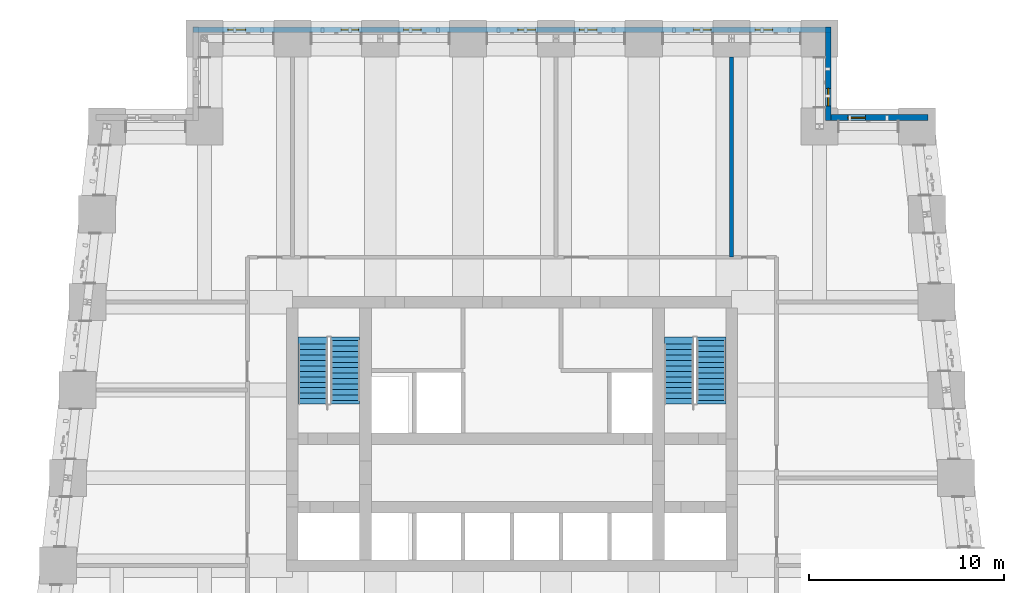
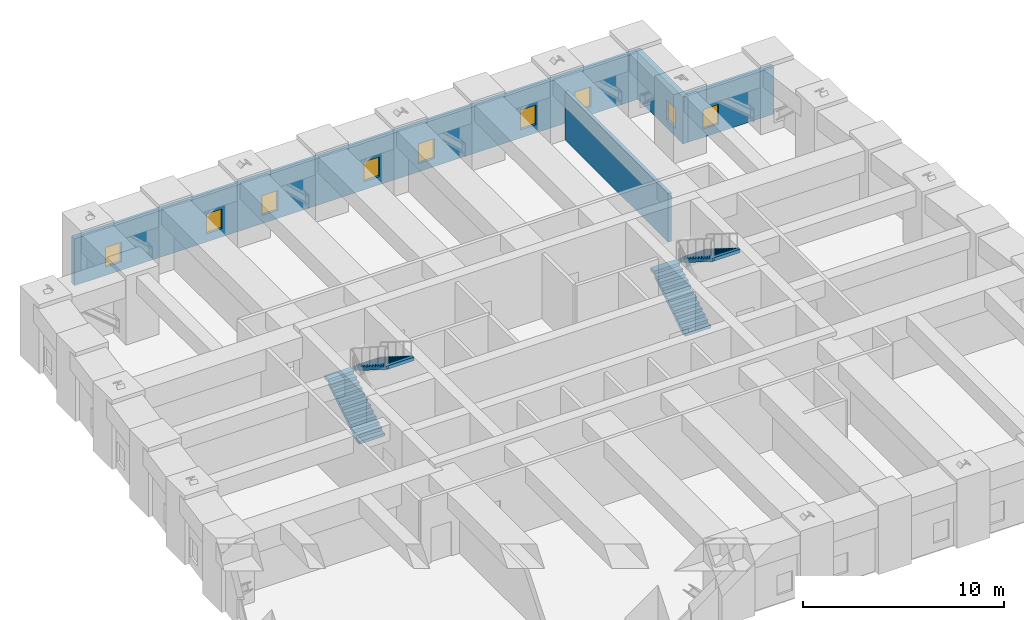
# One storey, part 5 of 16: 9 windows, 4 stair flights, 4 walls, 9 openings, 2 elements without a shape of their own.
"""IFC4 building model written with IfcOpenShell, lengths in metres."""

from ifc_helpers import new_model, si_unit, direction, frame, frame_2d, origin, place, context, subcontext, project, spatial, polyline, rectangle, outline, extrude, material, layer, layer_set, type_object, element, fill, aggregate, save


model = new_model("IFC4")

# Units and contexts
model_context = context("Model", 3, precision=1e-05, world=origin(), true_north=direction((0.0, 1.0)))
body_context = subcontext(model_context, "Body", "Model", "MODEL_VIEW")
ifc_project = project(units=[si_unit("LENGTHUNIT", "METRE"), si_unit("AREAUNIT", "SQUARE_METRE"), si_unit("VOLUMEUNIT", "CUBIC_METRE"), si_unit("PLANEANGLEUNIT", "RADIAN"), si_unit("MASSUNIT", "GRAM", prefix="KILO")], contexts=[model_context])

# Site, building, storey
site_placement = place(None, origin())
site = spatial("IfcSite", under=ifc_project, at=site_placement, CompositionType="ELEMENT")
building_placement = place(site_placement, origin())
building = spatial("IfcBuilding", under=site, at=building_placement, Name="Kilele Tower Hotel", CompositionType="ELEMENT")
storey_placement = place(building_placement, frame((0.0, 0.0, 85.699951171875)))
storey = spatial("IfcBuildingStorey", under=building, at=storey_placement, Name="L21", CompositionType="ELEMENT", Elevation=85.699951171875)

# Wall
ifc_material_1 = material(Name="Blockwork, plastered both sides", Category="masonry")
ifc_layer_1 = layer(ifc_material_1, 0.199951171875)
ifc_layer_set_1 = layer_set([ifc_layer_1], Name="Blockwork, plastered both sides")
wall_type_1 = type_object("IfcWallType", Name="Partition wall 200", PredefinedType="PARTITIONING", material=ifc_layer_set_1)
wall_1_placement = place(storey_placement, frame((36.0, 29.300048828125, 0.0), z_axis=(0.0, 0.0, 1.0), x_axis=(0.0, 1.0, 0.0)))
element("IfcWall", 1, at=wall_1_placement, inside=storey, type_object=wall_type_1, Name="Partition wall 200 L21", PredefinedType="PARTITIONING", context=body_context, shape_type="SweptSolid", body=[
    extrude(rectangle(XDim=10.25, YDim=0.199951171875, at=frame_2d((5.125, 0.0))), origin(), (0.0, 0.0, 1.0), 2.949951171875),
])

# Wall, opening, window
ifc_material_2 = material(Name="Concrete C40/50 precast", Category="concrete")
ifc_layer_2 = layer(ifc_material_2, 0.260009765625, Name="Precast backing", Category="LoadBearing")
ifc_material_3 = material(Name="Reconstituted stone finish", Category="masonry")
ifc_layer_3 = layer(ifc_material_3, 0.0400390625, Name="Face mix", Category="Finish")
ifc_layer_set_2 = layer_set([ifc_layer_2, ifc_layer_3], Name="Precast concrete C40/50, reconstituted stone finish")
wall_type_2 = type_object("IfcWallType", Name="Precast stone facade wall 300", PredefinedType="STANDARD", material=ifc_layer_set_2)
wall_2_placement = place(storey_placement, frame((46.052734375, 36.449951171875, 0.0), z_axis=(0.0, 0.0, 1.0), x_axis=(-1.0, 0.0, 0.0)))
wall_2 = element("IfcWall", 2, at=wall_2_placement, inside=storey, type_object=wall_type_2, Name="Facade wall L21 edge 7", PredefinedType="STANDARD", context=body_context, shape_type="SweptSolid", body=[
    extrude(rectangle(XDim=5.252685546875, YDim=0.300048828125, at=frame_2d((2.62646484375, 0.0))), origin(), (0.0, 0.0, 1.0), 2.85009765625),
])
opening_1_placement = place(wall_2_placement, frame((3.202880859375, 0.0, 0.5)))
opening_1 = element("IfcOpeningElement", 3, at=opening_1_placement, cuts=wall_2, Name="Opening LV1", PredefinedType="OPENING", context=body_context, shape_type="SweptSolid", body=[
    extrude(rectangle(XDim=0.89990234375, YDim=1.199951171875, at=frame_2d((0.449951171875, 0.60009765625))), frame((0.0, 0.159912109375, 0.0), z_axis=(0.0, -1.0, 0.0), x_axis=(1.0, 0.0, 0.0)), (0.0, 0.0, 1.0), 0.320068359375),
])
ifc_material_4 = material(Name="Aluminium weather louvre with insect mesh", Category="aluminium")
window_type = type_object("IfcWindowType", Name="Ventilation louvre 900 x 1200", PartitioningType="SINGLE_PANEL", PredefinedType="USERDEFINED", material=ifc_material_4)
window_1_placement = place(opening_1_placement, origin())
window_1 = element("IfcWindow", 4, at=window_1_placement, inside=storey, type_object=window_type, Name="Louvre L21", ObjectType="LOUVRE", OverallHeight=1.199951171875, OverallWidth=0.89990234375, PartitioningType="SINGLE_PANEL", PredefinedType="USERDEFINED", context=body_context, shape_type="SweptSolid", body=[
    extrude(rectangle(XDim=0.89990234375, YDim=1.199951171875, at=frame_2d((0.449951171875, 0.60009765625))), frame((0.0, 0.030029296875, 0.0), z_axis=(0.0, -1.0, 0.0), x_axis=(1.0, 0.0, 0.0)), (0.0, 0.0, 1.0), 0.06005859375),
])
fill(opening_1, window_1)

wall_3_placement = place(storey_placement, frame((40.949951171875, 36.300048828125, 0.0), z_axis=(0.0, 0.0, 1.0), x_axis=(0.0, 1.0, 0.0)))
wall_3 = element("IfcWall", 5, at=wall_3_placement, inside=storey, type_object=wall_type_2, Name="Facade wall L21 edge 8", PredefinedType="STANDARD", context=body_context, shape_type="SweptSolid", body=[
    extrude(rectangle(XDim=4.800048828125, YDim=0.300048828125, at=frame_2d((2.39990234375, 0.0))), origin(), (0.0, 0.0, 1.0), 2.85009765625),
])
opening_2_placement = place(wall_3_placement, frame((0.75, 0.0, 0.5)))
opening_2 = element("IfcOpeningElement", 6, at=opening_2_placement, cuts=wall_3, Name="Opening LV1", PredefinedType="OPENING", context=body_context, shape_type="SweptSolid", body=[
    extrude(rectangle(XDim=0.89990234375, YDim=1.199951171875, at=frame_2d((0.449951171875, 0.60009765625))), frame((0.0, 0.159912109375, 0.0), z_axis=(0.0, -1.0, 0.0), x_axis=(1.0, 0.0, 0.0)), (0.0, 0.0, 1.0), 0.320068359375),
])
window_2_placement = place(opening_2_placement, origin())
window_2 = element("IfcWindow", 7, at=window_2_placement, inside=storey, type_object=window_type, Name="Louvre L21", ObjectType="LOUVRE", OverallHeight=1.199951171875, OverallWidth=0.89990234375, PartitioningType="SINGLE_PANEL", PredefinedType="USERDEFINED", context=body_context, shape_type="SweptSolid", body=[
    extrude(rectangle(XDim=0.89990234375, YDim=1.199951171875, at=frame_2d((0.449951171875, 0.60009765625))), frame((0.0, 0.030029296875, 0.0), z_axis=(0.0, -1.0, 0.0), x_axis=(1.0, 0.0, 0.0)), (0.0, 0.0, 1.0), 0.06005859375),
])
fill(opening_2, window_2)

# Wall, openings, windows
wall_4_placement = place(storey_placement, frame((41.10009765625, 40.949951171875, 0.0), z_axis=(0.0, 0.0, 1.0), x_axis=(-1.0, 0.0, 0.0)))
wall_4 = element("IfcWall", 8, at=wall_4_placement, inside=storey, type_object=wall_type_2, Name="Facade wall L21 edge 9", PredefinedType="STANDARD", context=body_context, shape_type="SweptSolid", body=[
    extrude(rectangle(XDim=32.7001953125, YDim=0.300048828125, at=frame_2d((16.35009765625, 0.0))), origin(), (0.0, 0.0, 1.0), 2.85009765625),
])
opening_3_placement = place(wall_4_placement, frame((3.0, 0.0, 0.5)))
opening_3 = element("IfcOpeningElement", 9, at=opening_3_placement, cuts=wall_4, Name="Opening LV1", PredefinedType="OPENING", context=body_context, shape_type="SweptSolid", body=[
    extrude(rectangle(XDim=0.89990234375, YDim=1.199951171875, at=frame_2d((0.449951171875, 0.60009765625))), frame((0.0, 0.159912109375, 0.0), z_axis=(0.0, -1.0, 0.0), x_axis=(1.0, 0.0, 0.0)), (0.0, 0.0, 1.0), 0.320068359375),
])
opening_4_placement = place(wall_4_placement, frame((6.14990234375, 0.0, 0.5)))
opening_4 = element("IfcOpeningElement", 10, at=opening_4_placement, cuts=wall_4, Name="Opening LV1", PredefinedType="OPENING", context=body_context, shape_type="SweptSolid", body=[
    extrude(rectangle(XDim=0.89990234375, YDim=1.199951171875, at=frame_2d((0.449951171875, 0.60009765625))), frame((0.0, 0.159912109375, 0.0), z_axis=(0.0, -1.0, 0.0), x_axis=(1.0, 0.0, 0.0)), (0.0, 0.0, 1.0), 0.320068359375),
])
opening_5_placement = place(wall_4_placement, frame((12.0, 0.0, 0.5)))
opening_5 = element("IfcOpeningElement", 11, at=opening_5_placement, cuts=wall_4, Name="Opening LV1", PredefinedType="OPENING", context=body_context, shape_type="SweptSolid", body=[
    extrude(rectangle(XDim=0.89990234375, YDim=1.199951171875, at=frame_2d((0.449951171875, 0.60009765625))), frame((0.0, 0.159912109375, 0.0), z_axis=(0.0, -1.0, 0.0), x_axis=(1.0, 0.0, 0.0)), (0.0, 0.0, 1.0), 0.320068359375),
])
opening_6_placement = place(wall_4_placement, frame((15.14990234375, 0.0, 0.5)))
opening_6 = element("IfcOpeningElement", 12, at=opening_6_placement, cuts=wall_4, Name="Opening LV1", PredefinedType="OPENING", context=body_context, shape_type="SweptSolid", body=[
    extrude(rectangle(XDim=0.89990234375, YDim=1.199951171875, at=frame_2d((0.449951171875, 0.60009765625))), frame((0.0, 0.159912109375, 0.0), z_axis=(0.0, -1.0, 0.0), x_axis=(1.0, 0.0, 0.0)), (0.0, 0.0, 1.0), 0.320068359375),
])
opening_7_placement = place(wall_4_placement, frame((21.0, 0.0, 0.5)))
opening_7 = element("IfcOpeningElement", 13, at=opening_7_placement, cuts=wall_4, Name="Opening LV1", PredefinedType="OPENING", context=body_context, shape_type="SweptSolid", body=[
    extrude(rectangle(XDim=0.89990234375, YDim=1.199951171875, at=frame_2d((0.449951171875, 0.60009765625))), frame((0.0, 0.159912109375, 0.0), z_axis=(0.0, -1.0, 0.0), x_axis=(1.0, 0.0, 0.0)), (0.0, 0.0, 1.0), 0.320068359375),
])
opening_8_placement = place(wall_4_placement, frame((24.199951171875, 0.0, 0.5)))
opening_8 = element("IfcOpeningElement", 14, at=opening_8_placement, cuts=wall_4, Name="Opening LV1", PredefinedType="OPENING", context=body_context, shape_type="SweptSolid", body=[
    extrude(rectangle(XDim=0.89990234375, YDim=1.199951171875, at=frame_2d((0.449951171875, 0.60009765625))), frame((0.0, 0.159912109375, 0.0), z_axis=(0.0, -1.0, 0.0), x_axis=(1.0, 0.0, 0.0)), (0.0, 0.0, 1.0), 0.320068359375),
])
opening_9_placement = place(wall_4_placement, frame((30.0, 0.0, 0.5)))
opening_9 = element("IfcOpeningElement", 15, at=opening_9_placement, cuts=wall_4, Name="Opening LV1", PredefinedType="OPENING", context=body_context, shape_type="SweptSolid", body=[
    extrude(rectangle(XDim=0.89990234375, YDim=1.199951171875, at=frame_2d((0.449951171875, 0.60009765625))), frame((0.0, 0.159912109375, 0.0), z_axis=(0.0, -1.0, 0.0), x_axis=(1.0, 0.0, 0.0)), (0.0, 0.0, 1.0), 0.320068359375),
])
window_3_placement = place(opening_3_placement, origin())
window_3 = element("IfcWindow", 16, at=window_3_placement, inside=storey, type_object=window_type, Name="Louvre L21", ObjectType="LOUVRE", OverallHeight=1.199951171875, OverallWidth=0.89990234375, PartitioningType="SINGLE_PANEL", PredefinedType="USERDEFINED", context=body_context, shape_type="SweptSolid", body=[
    extrude(rectangle(XDim=0.89990234375, YDim=1.199951171875, at=frame_2d((0.449951171875, 0.60009765625))), frame((0.0, 0.030029296875, 0.0), z_axis=(0.0, -1.0, 0.0), x_axis=(1.0, 0.0, 0.0)), (0.0, 0.0, 1.0), 0.06005859375),
])
fill(opening_3, window_3)
window_4_placement = place(opening_4_placement, origin())
window_4 = element("IfcWindow", 17, at=window_4_placement, inside=storey, type_object=window_type, Name="Louvre L21", ObjectType="LOUVRE", OverallHeight=1.199951171875, OverallWidth=0.89990234375, PartitioningType="SINGLE_PANEL", PredefinedType="USERDEFINED", context=body_context, shape_type="SweptSolid", body=[
    extrude(rectangle(XDim=0.89990234375, YDim=1.199951171875, at=frame_2d((0.449951171875, 0.60009765625))), frame((0.0, 0.030029296875, 0.0), z_axis=(0.0, -1.0, 0.0), x_axis=(1.0, 0.0, 0.0)), (0.0, 0.0, 1.0), 0.06005859375),
])
fill(opening_4, window_4)
window_5_placement = place(opening_5_placement, origin())
window_5 = element("IfcWindow", 18, at=window_5_placement, inside=storey, type_object=window_type, Name="Louvre L21", ObjectType="LOUVRE", OverallHeight=1.199951171875, OverallWidth=0.89990234375, PartitioningType="SINGLE_PANEL", PredefinedType="USERDEFINED", context=body_context, shape_type="SweptSolid", body=[
    extrude(rectangle(XDim=0.89990234375, YDim=1.199951171875, at=frame_2d((0.449951171875, 0.60009765625))), frame((0.0, 0.030029296875, 0.0), z_axis=(0.0, -1.0, 0.0), x_axis=(1.0, 0.0, 0.0)), (0.0, 0.0, 1.0), 0.06005859375),
])
fill(opening_5, window_5)
window_6_placement = place(opening_6_placement, origin())
window_6 = element("IfcWindow", 19, at=window_6_placement, inside=storey, type_object=window_type, Name="Louvre L21", ObjectType="LOUVRE", OverallHeight=1.199951171875, OverallWidth=0.89990234375, PartitioningType="SINGLE_PANEL", PredefinedType="USERDEFINED", context=body_context, shape_type="SweptSolid", body=[
    extrude(rectangle(XDim=0.89990234375, YDim=1.199951171875, at=frame_2d((0.449951171875, 0.60009765625))), frame((0.0, 0.030029296875, 0.0), z_axis=(0.0, -1.0, 0.0), x_axis=(1.0, 0.0, 0.0)), (0.0, 0.0, 1.0), 0.06005859375),
])
fill(opening_6, window_6)
window_7_placement = place(opening_7_placement, origin())
window_7 = element("IfcWindow", 20, at=window_7_placement, inside=storey, type_object=window_type, Name="Louvre L21", ObjectType="LOUVRE", OverallHeight=1.199951171875, OverallWidth=0.89990234375, PartitioningType="SINGLE_PANEL", PredefinedType="USERDEFINED", context=body_context, shape_type="SweptSolid", body=[
    extrude(rectangle(XDim=0.89990234375, YDim=1.199951171875, at=frame_2d((0.449951171875, 0.60009765625))), frame((0.0, 0.030029296875, 0.0), z_axis=(0.0, -1.0, 0.0), x_axis=(1.0, 0.0, 0.0)), (0.0, 0.0, 1.0), 0.06005859375),
])
fill(opening_7, window_7)
window_8_placement = place(opening_8_placement, origin())
window_8 = element("IfcWindow", 21, at=window_8_placement, inside=storey, type_object=window_type, Name="Louvre L21", ObjectType="LOUVRE", OverallHeight=1.199951171875, OverallWidth=0.89990234375, PartitioningType="SINGLE_PANEL", PredefinedType="USERDEFINED", context=body_context, shape_type="SweptSolid", body=[
    extrude(rectangle(XDim=0.89990234375, YDim=1.199951171875, at=frame_2d((0.449951171875, 0.60009765625))), frame((0.0, 0.030029296875, 0.0), z_axis=(0.0, -1.0, 0.0), x_axis=(1.0, 0.0, 0.0)), (0.0, 0.0, 1.0), 0.06005859375),
])
fill(opening_8, window_8)
window_9_placement = place(opening_9_placement, origin())
window_9 = element("IfcWindow", 22, at=window_9_placement, inside=storey, type_object=window_type, Name="Louvre L21", ObjectType="LOUVRE", OverallHeight=1.199951171875, OverallWidth=0.89990234375, PartitioningType="SINGLE_PANEL", PredefinedType="USERDEFINED", context=body_context, shape_type="SweptSolid", body=[
    extrude(rectangle(XDim=0.89990234375, YDim=1.199951171875, at=frame_2d((0.449951171875, 0.60009765625))), frame((0.0, 0.030029296875, 0.0), z_axis=(0.0, -1.0, 0.0), x_axis=(1.0, 0.0, 0.0)), (0.0, 0.0, 1.0), 0.06005859375),
])
fill(opening_9, window_9)

# Stair, stair flights
ifc_material_5 = material(Name="Precast concrete C40/50", Category="concrete")
stair_type = type_object("IfcStairType", Name="Stair 1475 x 4200", PredefinedType="HALF_TURN_STAIR", material=ifc_material_5)
stair_1_placement = place(storey_placement, origin())
stair_1 = element("IfcStair", 23, at=stair_1_placement, inside=storey, type_object=stair_type, Name="Stair 1 L21", PredefinedType="HALF_TURN_STAIR")
ifc_material_6 = material(Name="Precast concrete C40/50", Category="concrete")
stair_flight_type = type_object("IfcStairFlightType", Name="Flight 1475 riser 175.0", PredefinedType="STRAIGHT", material=ifc_material_6)
stair_flight_1_placement = place(storey_placement, frame((14.53759765625, 21.77490234375, 0.0), z_axis=(0.0, 0.0, 1.0), x_axis=(0.0, 1.0, 0.0)))
stair_flight_1 = element("IfcStairFlight", 24, at=stair_flight_1_placement, type_object=stair_flight_type, Name="ST1 flight 1", NumberOfRisers=12, NumberOfTreads=11, PredefinedType="STRAIGHT", RiserHeight=0.175, TreadLength=0.28, context=body_context, shape_type="SweptSolid", body=[
    extrude(outline(polyline([(0.0, 0.0), (0.0, 0.175048828125), (0.280029296875, 0.175048828125), (0.280029296875, 0.35009765625), (0.56005859375, 0.35009765625), (0.56005859375, 0.52490234375), (0.840087890625, 0.52490234375), (0.840087890625, 0.699951171875), (1.1201171875, 0.699951171875), (1.1201171875, 0.875), (1.39990234375, 0.875), (1.39990234375, 1.050048828125), (1.679931640625, 1.050048828125), (1.679931640625, 1.22509765625), (1.9599609375, 1.22509765625), (1.9599609375, 1.39990234375), (2.239990234375, 1.39990234375), (2.239990234375, 1.574951171875), (2.52001953125, 1.574951171875), (2.52001953125, 1.75), (2.800048828125, 1.75), (2.800048828125, 1.925048828125), (3.080078125, 1.925048828125), (3.080078125, 2.10009765625), (3.080078125, 1.748291015625), (0.28271484375, 0.0), (0.0, 0.0)])), frame((0.0, 0.737548828125, 0.0), z_axis=(0.0, -1.0, 0.0), x_axis=(1.0, 0.0, 0.0)), (0.0, 0.0, 1.0), 1.47509765625),
    extrude(outline(polyline([(3.080078125, 0.737548828125), (3.080078125, -0.7373046875), (3.4501953125, -0.7373046875), (3.4501953125, 0.737548828125), (3.080078125, 0.737548828125)])), frame((0.0, 0.0, 1.900146484375)), (0.0, 0.0, 1.0), 0.199951171875),
])
stair_flight_2_placement = place(storey_placement, frame((16.21240234375, 25.0400390625, 2.10009765625), z_axis=(0.0, 0.0, 1.0), x_axis=(0.0, -1.0, 0.0)))
stair_flight_2 = element("IfcStairFlight", 25, at=stair_flight_2_placement, type_object=stair_flight_type, Name="ST1 flight 2", NumberOfRisers=12, NumberOfTreads=11, PredefinedType="STRAIGHT", RiserHeight=0.175, TreadLength=0.28, context=body_context, shape_type="SweptSolid", body=[
    extrude(outline(polyline([(0.0, 0.0), (0.0, 0.175048828125), (0.280029296875, 0.175048828125), (0.280029296875, 0.35009765625), (0.56005859375, 0.35009765625), (0.56005859375, 0.52490234375), (0.840087890625, 0.52490234375), (0.840087890625, 0.699951171875), (1.1201171875, 0.699951171875), (1.1201171875, 0.875), (1.39990234375, 0.875), (1.39990234375, 1.050048828125), (1.679931640625, 1.050048828125), (1.679931640625, 1.22509765625), (1.9599609375, 1.22509765625), (1.9599609375, 1.39990234375), (2.239990234375, 1.39990234375), (2.239990234375, 1.574951171875), (2.52001953125, 1.574951171875), (2.52001953125, 1.75), (2.800048828125, 1.75), (2.800048828125, 1.925048828125), (3.080078125, 1.925048828125), (3.080078125, 2.10009765625), (3.080078125, 1.748291015625), (0.28271484375, 0.0), (0.0, 0.0)])), frame((0.0, 0.737548828125, 0.0), z_axis=(0.0, -1.0, 0.0), x_axis=(1.0, 0.0, 0.0)), (0.0, 0.0, 1.0), 1.47509765625),
    extrude(outline(polyline([(0.0, -0.7373046875), (0.0, 0.737548828125), (-0.18505859375, 0.737548828125), (-0.18505859375, -0.7373046875), (0.0, -0.7373046875)])), frame((0.0, 0.0, -0.199951171875)), (0.0, 0.0, 1.0), 0.199951171875),
    extrude(outline(polyline([(3.26513671875, -0.7373046875), (3.26513671875, 0.737548828125), (3.080078125, 0.737548828125), (3.080078125, -0.7373046875), (3.26513671875, -0.7373046875)])), frame((0.0, 0.0, 1.89990234375)), (0.0, 0.0, 1.0), 0.199951171875),
])
aggregate(stair_1, [stair_flight_1, stair_flight_2])

stair_2_placement = place(storey_placement, origin())
stair_2 = element("IfcStair", 26, at=stair_2_placement, inside=storey, type_object=stair_type, Name="Stair 2 L21", PredefinedType="HALF_TURN_STAIR")
stair_flight_3_placement = place(storey_placement, frame((33.28759765625, 21.77490234375, 0.0), z_axis=(0.0, 0.0, 1.0), x_axis=(0.0, 1.0, 0.0)))
stair_flight_3 = element("IfcStairFlight", 27, at=stair_flight_3_placement, type_object=stair_flight_type, Name="ST2 flight 1", NumberOfRisers=12, NumberOfTreads=11, PredefinedType="STRAIGHT", RiserHeight=0.175, TreadLength=0.28, context=body_context, shape_type="SweptSolid", body=[
    extrude(outline(polyline([(0.0, 0.0), (0.0, 0.175048828125), (0.280029296875, 0.175048828125), (0.280029296875, 0.35009765625), (0.56005859375, 0.35009765625), (0.56005859375, 0.52490234375), (0.840087890625, 0.52490234375), (0.840087890625, 0.699951171875), (1.1201171875, 0.699951171875), (1.1201171875, 0.875), (1.39990234375, 0.875), (1.39990234375, 1.050048828125), (1.679931640625, 1.050048828125), (1.679931640625, 1.22509765625), (1.9599609375, 1.22509765625), (1.9599609375, 1.39990234375), (2.239990234375, 1.39990234375), (2.239990234375, 1.574951171875), (2.52001953125, 1.574951171875), (2.52001953125, 1.75), (2.800048828125, 1.75), (2.800048828125, 1.925048828125), (3.080078125, 1.925048828125), (3.080078125, 2.10009765625), (3.080078125, 1.748291015625), (0.28271484375, 0.0), (0.0, 0.0)])), frame((0.0, 0.737548828125, 0.0), z_axis=(0.0, -1.0, 0.0), x_axis=(1.0, 0.0, 0.0)), (0.0, 0.0, 1.0), 1.47509765625),
    extrude(outline(polyline([(3.080078125, 0.737548828125), (3.080078125, -0.7373046875), (3.4501953125, -0.7373046875), (3.4501953125, 0.737548828125), (3.080078125, 0.737548828125)])), frame((0.0, 0.0, 1.900146484375)), (0.0, 0.0, 1.0), 0.199951171875),
])
stair_flight_4_placement = place(storey_placement, frame((34.96240234375, 25.0400390625, 2.10009765625), z_axis=(0.0, 0.0, 1.0), x_axis=(0.0, -1.0, 0.0)))
stair_flight_4 = element("IfcStairFlight", 28, at=stair_flight_4_placement, type_object=stair_flight_type, Name="ST2 flight 2", NumberOfRisers=12, NumberOfTreads=11, PredefinedType="STRAIGHT", RiserHeight=0.175, TreadLength=0.28, context=body_context, shape_type="SweptSolid", body=[
    extrude(outline(polyline([(0.0, 0.0), (0.0, 0.175048828125), (0.280029296875, 0.175048828125), (0.280029296875, 0.35009765625), (0.56005859375, 0.35009765625), (0.56005859375, 0.52490234375), (0.840087890625, 0.52490234375), (0.840087890625, 0.699951171875), (1.1201171875, 0.699951171875), (1.1201171875, 0.875), (1.39990234375, 0.875), (1.39990234375, 1.050048828125), (1.679931640625, 1.050048828125), (1.679931640625, 1.22509765625), (1.9599609375, 1.22509765625), (1.9599609375, 1.39990234375), (2.239990234375, 1.39990234375), (2.239990234375, 1.574951171875), (2.52001953125, 1.574951171875), (2.52001953125, 1.75), (2.800048828125, 1.75), (2.800048828125, 1.925048828125), (3.080078125, 1.925048828125), (3.080078125, 2.10009765625), (3.080078125, 1.748291015625), (0.28271484375, 0.0), (0.0, 0.0)])), frame((0.0, 0.737548828125, 0.0), z_axis=(0.0, -1.0, 0.0), x_axis=(1.0, 0.0, 0.0)), (0.0, 0.0, 1.0), 1.47509765625),
    extrude(outline(polyline([(0.0, -0.7373046875), (0.0, 0.737548828125), (-0.18505859375, 0.737548828125), (-0.18505859375, -0.7373046875), (0.0, -0.7373046875)])), frame((0.0, 0.0, -0.199951171875)), (0.0, 0.0, 1.0), 0.199951171875),
    extrude(outline(polyline([(3.26513671875, -0.7373046875), (3.26513671875, 0.737548828125), (3.080078125, 0.737548828125), (3.080078125, -0.7373046875), (3.26513671875, -0.7373046875)])), frame((0.0, 0.0, 1.89990234375)), (0.0, 0.0, 1.0), 0.199951171875),
])
aggregate(stair_2, [stair_flight_3, stair_flight_4])

save(model, "model.ifc")
